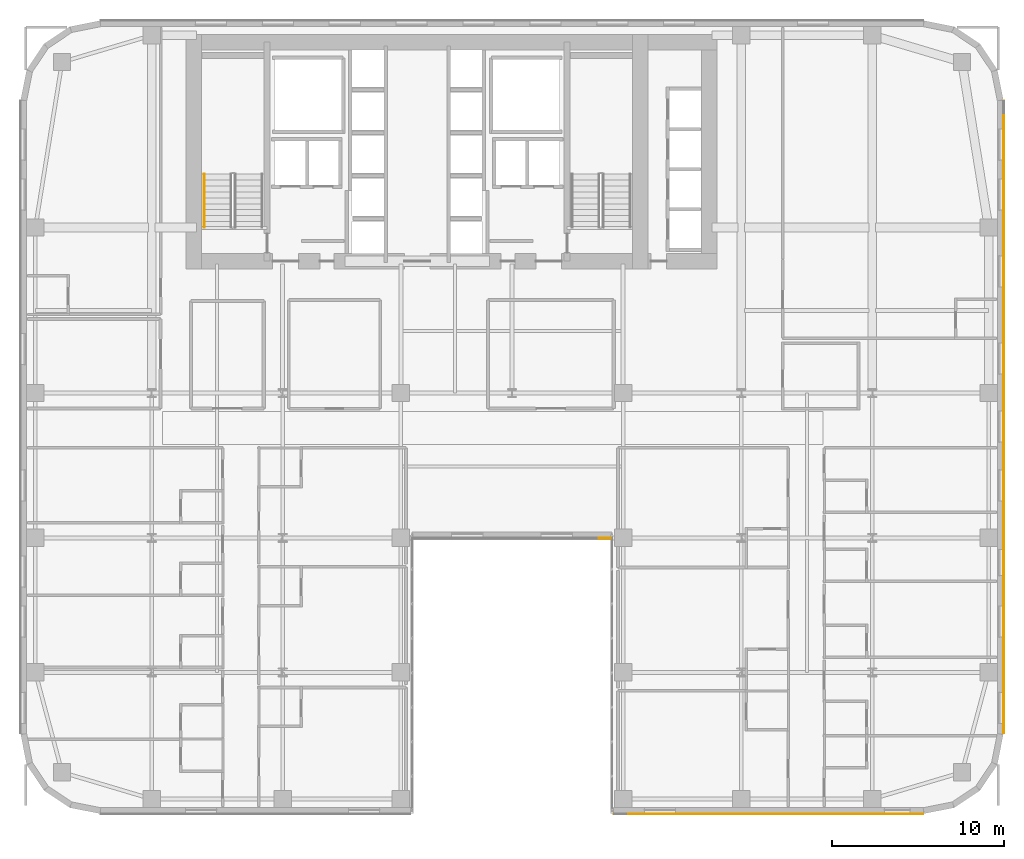
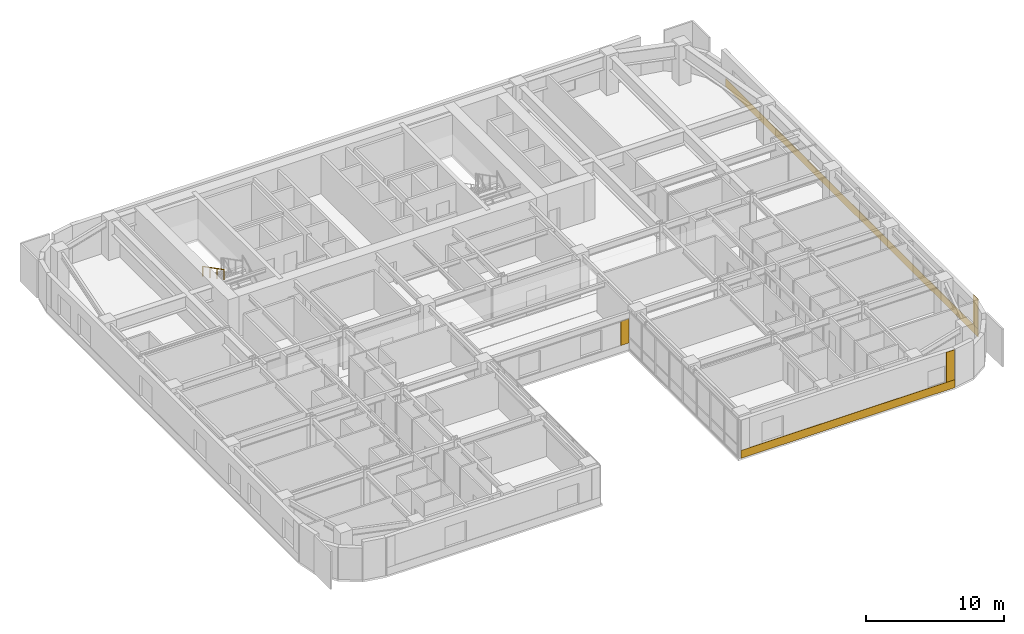
# One storey, part 22 of 25: 5 coverings, 1 railing.
"""IFC4 building model written with IfcOpenShell, lengths in metres."""

from ifc_helpers import new_model, si_unit, direction, frame, origin, origin_2d, place, context, subcontext, project, spatial, polyline, circle, outline, extrude, material, layer, layer_set, type_object, element, save


model = new_model("IFC4")

# Units and contexts
model_context = context("Model", 3, precision=1e-05, world=origin(), true_north=direction((0.0, 1.0)))
body_context = subcontext(model_context, "Body", "Model", "MODEL_VIEW")
ifc_project = project(units=[si_unit("LENGTHUNIT", "METRE"), si_unit("AREAUNIT", "SQUARE_METRE"), si_unit("VOLUMEUNIT", "CUBIC_METRE"), si_unit("PLANEANGLEUNIT", "RADIAN"), si_unit("MASSUNIT", "GRAM", prefix="KILO")], contexts=[model_context])

# Site, building, storey
site_placement = place(None, origin())
site = spatial("IfcSite", under=ifc_project, at=site_placement, CompositionType="ELEMENT")
building_placement = place(site_placement, origin())
building = spatial("IfcBuilding", under=site, at=building_placement, Name="Tolvann Quenvar Hotel", CompositionType="ELEMENT")
storey_placement = place(building_placement, frame((0.0, 0.0, 39.10009765625)))
storey = spatial("IfcBuildingStorey", under=building, at=storey_placement, Name="L08", CompositionType="ELEMENT", Elevation=39.10009765625)

# Coverings
ifc_material_1 = material(Name="Kiln-fired red architectural face brick cladding", Category="masonry")
ifc_layer_1 = layer(ifc_material_1, 0.0400390625)
ifc_layer_set_1 = layer_set([ifc_layer_1], Name="Kiln-fired red architectural face brick cladding")
covering_type_1 = type_object("IfcCoveringType", Name="COV_CLAD_BRICK_40", PredefinedType="CLADDING", material=ifc_layer_set_1)
covering_1_placement = place(storey_placement, frame((0.0, 0.0, 0.6044921875)))
element("IfcCovering", 1, at=covering_1_placement, inside=storey, type_object=covering_type_1, Name="Brick Pier Cladding (L08-E06-P2)", PredefinedType="CLADDING", context=body_context, shape_type="SweptSolid", body=[
    extrude(outline(polyline([(33.5400390625, 16.0), (34.239990234375, 16.0), (34.239990234375, 15.9599609375), (33.5400390625, 15.9599609375), (33.5400390625, 16.0)])), origin(), (0.0, 0.0, 1.0), 2.143310546875),
])
covering_2_placement = place(storey_placement, frame((0.0, 0.0, 0.699951171875)))
element("IfcCovering", 2, at=covering_2_placement, inside=storey, type_object=covering_type_1, Name="Brick Pier Cladding (L08-E08-P2)", PredefinedType="CLADDING", context=body_context, shape_type="SweptSolid", body=[
    extrude(outline(polyline([(51.6328125, 0.0), (52.332763671875, 0.0), (52.332763671875, -0.0400390625), (51.6328125, -0.0400390625), (51.6328125, 0.0)])), origin(), (0.0, 0.0, 1.0), 2.669921875),
])
covering_3_placement = place(storey_placement, frame((0.0, 0.0, 0.699951171875)))
element("IfcCovering", 3, at=covering_3_placement, inside=storey, type_object=covering_type_1, Name="Brick Pier Cladding (L08-E13-P1)", PredefinedType="CLADDING", context=body_context, shape_type="SweptSolid", body=[
    extrude(outline(polyline([(57.0, 4.667236328125), (57.0, 5.3671875), (57.0400390625, 5.3671875), (57.0400390625, 4.667236328125), (57.0, 4.667236328125)])), origin(), (0.0, 0.0, 1.0), 2.669921875),
])
ifc_material_2 = material(Name="Moulded buff architectural terracotta spandrel cladding", Category="masonry")
ifc_layer_2 = layer(ifc_material_2, 0.0400390625)
ifc_layer_set_2 = layer_set([ifc_layer_2], Name="Moulded buff architectural terracotta spandrel cladding")
covering_type_2 = type_object("IfcCoveringType", Name="COV_CLAD_TERRA_40", PredefinedType="CLADDING", material=ifc_layer_set_2)
covering_4_placement = place(storey_placement, origin())
element("IfcCovering", 4, at=covering_4_placement, inside=storey, type_object=covering_type_2, Name="Terracotta Spandrel Cladding (L08-E08)", PredefinedType="CLADDING", context=body_context, shape_type="SweptSolid", body=[
    extrude(outline(polyline([(34.4150390625, 0.0), (52.3427734375, 0.0), (52.3427734375, -0.0400390625), (34.4150390625, -0.0400390625), (34.4150390625, 0.0)])), origin(), (0.0, 0.0, 1.0), 0.699951171875),
])
covering_5_placement = place(storey_placement, origin())
element("IfcCovering", 5, at=covering_5_placement, inside=storey, type_object=covering_type_2, Name="Terracotta Spandrel Cladding (L08-E13)", PredefinedType="CLADDING", context=body_context, shape_type="SweptSolid", body=[
    extrude(outline(polyline([(57.0, 4.6572265625), (57.0, 41.3427734375), (57.0400390625, 41.3427734375), (57.0400390625, 4.6572265625), (57.0, 4.6572265625)])), origin(), (0.0, 0.0, 1.0), 0.699951171875),
])

# Railing
ifc_material_3 = material(Name="Brushed 316 stainless steel balustrade and handrail", Category="steel")
railing_type = type_object("IfcRailingType", Name="HANDRAIL", PredefinedType="HANDRAIL", material=ifc_material_3)
railing_placement = place(storey_placement, frame((10.64990234375, 37.10498046875, 1.952392578125)))
element("IfcRailing", 6, at=railing_placement, inside=storey, type_object=railing_type, Name="L08 ST-C1 stair handrail 2", PredefinedType="HANDRAIL", context=body_context, shape_type="SweptSolid", body=[
    extrude(circle(Radius=0.02392578125, at=origin_2d()), frame((0.0, 0.0, 0.8759765625), z_axis=(0.0, -0.889221982265, 0.45747597342), x_axis=(1.0, 0.0, 0.0)), (0.0, 0.0, 1.0), 3.49169921875),
    extrude(circle(Radius=0.02099609375, at=origin_2d()), origin(), (0.0, 0.0, 1.0), 0.851806640625),
    extrude(circle(Radius=0.02099609375, at=origin_2d()), frame((0.0, -1.034912109375, 0.532470703125)), (0.0, 0.0, 1.0), 0.851806640625),
    extrude(circle(Radius=0.02099609375, at=origin_2d()), frame((0.0, -2.070068359375, 1.06494140625)), (0.0, 0.0, 1.0), 0.851806640625),
    extrude(circle(Radius=0.02099609375, at=origin_2d()), frame((0.0, -3.10498046875, 1.597412109375)), (0.0, 0.0, 1.0), 0.851806640625),
])

save(model, "model.ifc")
